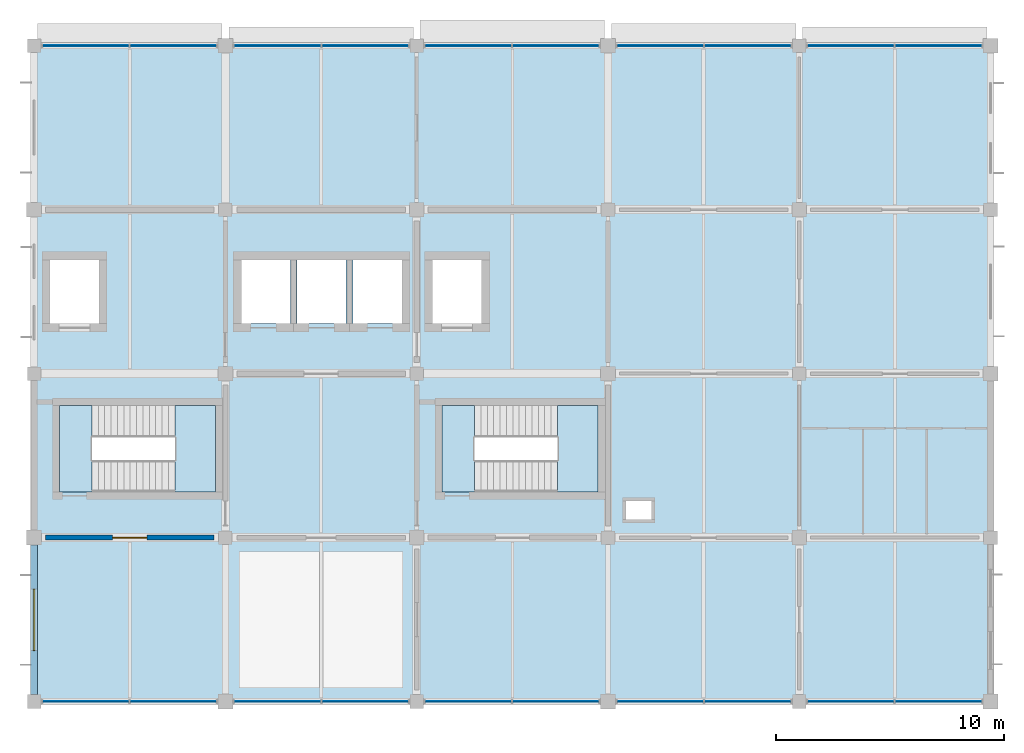
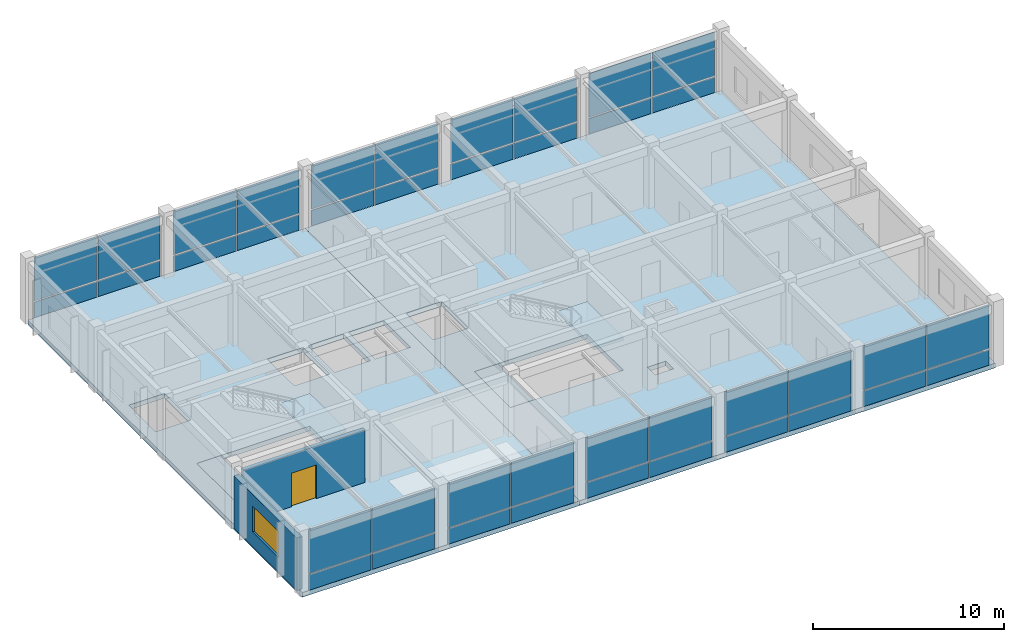
# One storey, part 7 of 11: 40 plates, 6 slabs, 2 walls, 1 door, 1 window, 2 openings, 12 elements without a shape of their own.
"""IFC4 building model written with IfcOpenShell, lengths in metres."""

import ifcopenshell
import ifcopenshell.guid

model = None  # the IFC model being written
_history = None  # IfcOwnerHistory: only IFC2X3 demands one
_inside = {}  # id of a spatial element -> (the spatial element, [elements in it])
_under = {}  # id of a project, library or spatial element -> (it, [spatial elements below it])
_declared = {}  # id of a project -> (the project, [libraries it declares])
_typed = {}  # id of a type object -> (the type object, [elements of that type])
_made_of = {}  # id of a material, layer set ... -> (it, [elements and type objects made of it])


def new_model(schema):
    """Start an empty IFC model of exactly this schema.

    Asked for "IFC4X3", IfcOpenShell would pick the latest addendum, in which some entities
    have other attributes; the version numbers below select the first issue.
    IFC2X3 requires an IfcOwnerHistory on every rooted entity: one is made here for all.
    """
    global model, _history
    if schema == "IFC4X3":
        model = ifcopenshell.file(schema_version=(4, 3, 0, 0))
    else:
        model = ifcopenshell.file(schema=schema)
    _inside.clear()
    _under.clear()
    _declared.clear()
    _typed.clear()
    _made_of.clear()
    _history = None
    if model.schema == "IFC2X3":
        org = make("IfcOrganization", Name="unknown")
        user = make(
            "IfcPersonAndOrganization",
            ThePerson=make("IfcPerson", FamilyName="unknown"),
            TheOrganization=org,
        )
        app = make(
            "IfcApplication",
            ApplicationDeveloper=org,
            Version="unknown",
            ApplicationFullName="unknown",
            ApplicationIdentifier="unknown",
        )
        _history = make(
            "IfcOwnerHistory",
            OwningUser=user,
            OwningApplication=app,
            ChangeAction="ADDED",
            CreationDate=0,
        )
    return model


def make(cls, **values):
    """One entity of the class cls with the attributes given. An attribute that is None is left unset."""
    return model.create_entity(
        cls, **{name: value for name, value in values.items() if value is not None}
    )


def rooted(cls, **values):
    """An entity with a GlobalId (a new one), such as an element, a storey or a relation."""
    return make(cls, GlobalId=ifcopenshell.guid.new(), OwnerHistory=_history, **values)


def si_unit(unit_type, name, prefix=None):
    """IfcSIUnit, for example si_unit("LENGTHUNIT", "METRE", prefix="MILLI")."""
    return make("IfcSIUnit", UnitType=unit_type, Prefix=prefix, Name=name)


def derived_unit(unit_type, elements):
    """IfcDerivedUnit: a product of units, each with its exponent."""
    return make(
        "IfcDerivedUnit",
        Elements=[
            make("IfcDerivedUnitElement", Unit=unit, Exponent=power)
            for unit, power in elements
        ],
        UnitType=unit_type,
    )


def assignment(units):
    """IfcUnitAssignment: the units of a project."""
    return None if units is None else make("IfcUnitAssignment", Units=units)


def point(xyz):
    """IfcCartesianPoint."""
    return None if xyz is None else make("IfcCartesianPoint", Coordinates=xyz)


def direction(xyz):
    """IfcDirection."""
    return None if xyz is None else make("IfcDirection", DirectionRatios=xyz)


def frame(location, z_axis=None, x_axis=None):
    """IfcAxis2Placement3D, a coordinate frame: its origin and axes. An axis left out is left unset."""
    return make(
        "IfcAxis2Placement3D",
        Location=point(location),
        Axis=direction(z_axis),
        RefDirection=direction(x_axis),
    )


def frame_2d(location, x_axis=None):
    """IfcAxis2Placement2D, a coordinate frame in the plane: its origin and x axis."""
    return make(
        "IfcAxis2Placement2D", Location=point(location), RefDirection=direction(x_axis)
    )


def origin():
    """The frame at (0, 0, 0) with its axes left unset."""
    return frame((0.0, 0.0, 0.0))


def origin_2d():
    """The frame at (0, 0) in the plane with its x axis left unset."""
    return frame_2d((0.0, 0.0))


def place(relative_to, where):
    """IfcLocalPlacement: puts the frame where relative to a parent placement (None: the world)."""
    return make(
        "IfcLocalPlacement", PlacementRelTo=relative_to, RelativePlacement=where
    )


def context(
    kind, dimensions, precision=None, world=None, true_north=None, identifier=None
):
    """IfcGeometricRepresentationContext, for example the 3D "Model" context."""
    return make(
        "IfcGeometricRepresentationContext",
        ContextIdentifier=identifier,
        ContextType=kind,
        CoordinateSpaceDimension=dimensions,
        Precision=precision,
        WorldCoordinateSystem=world,
        TrueNorth=true_north,
    )


def subcontext(parent, identifier, kind, view, scale=None):
    """IfcGeometricRepresentationSubContext, for example "Body" below "Model"."""
    return make(
        "IfcGeometricRepresentationSubContext",
        ContextIdentifier=identifier,
        ContextType=kind,
        ParentContext=parent,
        TargetScale=scale,
        TargetView=view,
    )


def project(units=None, contexts=None):
    """IfcProject with its units and contexts."""
    return rooted(
        "IfcProject",
        Name="project",
        RepresentationContexts=contexts,
        UnitsInContext=assignment(units),
    )


def spatial(cls, under=None, at=None, **own):
    """A site, building, storey or space (cls), placed at a placement, below another one or the project."""
    s = rooted(cls, ObjectPlacement=at, **own)
    if under is not None:
        _under.setdefault(under.id(), (under, []))[1].append(s)
    return s


def polyline(points):
    """IfcPolyline through the points."""
    return make("IfcPolyline", Points=[point(p) for p in points])


def profile(cls, at=None, kind="AREA", **sizes):
    """A parametric profile (cls). Its sizes go by their IFC names, for example OverallWidth=200.0."""
    return make(cls, ProfileType=kind, Position=at, **sizes)


def rectangle(**sizes):
    """IfcRectangleProfileDef."""
    return profile("IfcRectangleProfileDef", **sizes)


def outline(outer, holes=None, kind="AREA"):
    """IfcArbitraryClosedProfileDef: a profile drawn as a closed curve; with holes, ...WithVoids."""
    if holes is None:
        return make("IfcArbitraryClosedProfileDef", ProfileType=kind, OuterCurve=outer)
    return make(
        "IfcArbitraryProfileDefWithVoids",
        ProfileType=kind,
        OuterCurve=outer,
        InnerCurves=holes,
    )


def extrude(swept, where, along, depth):
    """IfcExtrudedAreaSolid: the profile swept, set in the frame where, extruded along a direction by depth."""
    return make(
        "IfcExtrudedAreaSolid",
        SweptArea=swept,
        Position=where,
        ExtrudedDirection=direction(along),
        Depth=depth,
    )


def shape(context_of_items, identifier, shape_type, items):
    """IfcShapeRepresentation: the items that make up one representation, for example the "Body"."""
    return make(
        "IfcShapeRepresentation",
        ContextOfItems=context_of_items,
        RepresentationIdentifier=identifier,
        RepresentationType=shape_type,
        Items=items,
    )


def material(Name=None, Category=None):
    """IfcMaterial."""
    return make("IfcMaterial", Name=Name, Category=Category)


def layer(
    of_material, thickness, ventilated=None, Name=None, Category=None, Priority=None
):
    """IfcMaterialLayer: one layer of a wall or slab, of a material (None: an air gap)."""
    return make(
        "IfcMaterialLayer",
        Material=of_material,
        LayerThickness=thickness,
        IsVentilated=ventilated,
        Name=Name,
        Category=Category,
        Priority=Priority,
    )


def layer_set(layers, Name=None):
    """IfcMaterialLayerSet."""
    return make("IfcMaterialLayerSet", MaterialLayers=layers, LayerSetName=Name)


def made_of(thing, what):
    """Note that an element or type object is made of a material, layer set ...; save() writes the relation."""
    if what is not None:
        _made_of.setdefault(what.id(), (what, []))[1].append(thing)
    return thing


def type_object(cls, material=None, **own):
    """A type object (cls), such as IfcWallType, which elements share."""
    return made_of(rooted(cls, **own), material)


def element(
    cls,
    number,
    at=None,
    inside=None,
    cuts=None,
    type_object=None,
    material=None,
    context=None,
    identifier="Body",
    shape_type=None,
    held_by="IfcProductDefinitionShape",
    body=None,
    shapes=None,
    **own,
):
    """One element of the class cls, such as IfcWall. Its Tag is "e" and its number.

    at: its placement. inside: the storey or other place that contains it. cuts: it is an
    opening in that element (IfcRelVoidsElement). A single representation is given by context,
    identifier, shape_type and body (its items); several are given by shapes. held_by: the class
    of the entity that holds the representations. save() writes the other relations.
    """
    e = rooted(cls, Tag="e%d" % number, ObjectPlacement=at, **own)
    if body is not None:
        shapes = [shape(context, identifier, shape_type, body)]
    if shapes is not None:
        e.Representation = make(held_by, Representations=shapes)
    if inside is not None:
        _inside.setdefault(inside.id(), (inside, []))[1].append(e)
    if cuts is not None:
        rooted(
            "IfcRelVoidsElement", RelatingBuildingElement=cuts, RelatedOpeningElement=e
        )
    if type_object is not None:
        _typed.setdefault(type_object.id(), (type_object, []))[1].append(e)
    return made_of(e, material)


def fill(opening, filler):
    """IfcRelFillsElement: the door or window that sits in an opening."""
    return rooted(
        "IfcRelFillsElement",
        RelatingOpeningElement=opening,
        RelatedBuildingElement=filler,
    )


def aggregate(whole, parts):
    """IfcRelAggregates: a whole, such as a stair, and the parts it consists of."""
    return rooted("IfcRelAggregates", RelatingObject=whole, RelatedObjects=parts)


def save(model, path):
    """Write the relations noted so far, then the file.

    IfcRelAggregates (storeys below a building ...), IfcRelContainedInSpatialStructure (elements
    in a storey), IfcRelDefinesByType, IfcRelAssociatesMaterial and IfcRelDeclares: one each for
    every whole, place, type object, material and project.
    """
    for whole, parts in _under.values():
        aggregate(whole, parts)
    for where, things in _inside.values():
        rooted(
            "IfcRelContainedInSpatialStructure",
            RelatedElements=things,
            RelatingStructure=where,
        )
    for kind, things in _typed.values():
        rooted("IfcRelDefinesByType", RelatedObjects=things, RelatingType=kind)
    for what, things in _made_of.values():
        rooted("IfcRelAssociatesMaterial", RelatedObjects=things, RelatingMaterial=what)
    for by, libraries in _declared.values():
        rooted("IfcRelDeclares", RelatingContext=by, RelatedDefinitions=libraries)
    model.write(path)


model = new_model("IFC4")

# Units and contexts
model_context = context("Model", 3, precision=1e-05, world=origin(), true_north=direction((0.0, 1.0)))
body_context = subcontext(model_context, "Body", "Model", "MODEL_VIEW")
ifc_project = project(units=[si_unit("LENGTHUNIT", "METRE"), si_unit("AREAUNIT", "SQUARE_METRE"), si_unit("VOLUMEUNIT", "CUBIC_METRE"), si_unit("PLANEANGLEUNIT", "RADIAN"), si_unit("MASSUNIT", "GRAM", prefix="KILO"), derived_unit("THERMALTRANSMITTANCEUNIT", [(si_unit("MASSUNIT", "GRAM", prefix="KILO"), 1), (si_unit("TIMEUNIT", "SECOND"), -3), (si_unit("THERMODYNAMICTEMPERATUREUNIT", "KELVIN"), -1)])], contexts=[model_context])

# Site, building, storey
site_placement = place(None, origin())
site = spatial("IfcSite", under=ifc_project, at=site_placement, CompositionType="ELEMENT")
building_placement = place(site_placement, origin())
building = spatial("IfcBuilding", under=site, at=building_placement, Name="Veldstrom Oceanarium and Marine Research Institute", CompositionType="ELEMENT")
storey_placement = place(building_placement, frame((0.0, 0.0, 48.0)))
storey = spatial("IfcBuildingStorey", under=building, at=storey_placement, Name="L10", CompositionType="ELEMENT", Elevation=48.0)

# Curtain wall, plates
ifc_material_1 = material(Name="Anodised Aluminium Framing", Category="aluminium")
curtain_wall_type = type_object("IfcCurtainWallType", Name="ARC-CW-CW04", PredefinedType="USERDEFINED", material=ifc_material_1)
curtain_wall_1_placement = place(storey_placement, origin())
curtain_wall_1 = element("IfcCurtainWall", 1, at=curtain_wall_1_placement, inside=storey, type_object=curtain_wall_type, Name="Curtain Wall CW04 CW-L10-141", ObjectType="Curtain wall", PredefinedType="USERDEFINED")
ifc_material_2 = material(Name="Double Glazed Low-E IGU", Category="glass")
ifc_layer_1 = layer(ifc_material_2, 0.035888671875)
ifc_layer_set_1 = layer_set([ifc_layer_1], Name="ARC-PLT-CP03")
plate_type_1 = type_object("IfcPlateType", Name="ARC-PLT-CP03", PredefinedType="CURTAIN_PANEL", material=ifc_layer_set_1)
plate_1_placement = place(storey_placement, frame((77.86376953125, 43.199951171875, 1.090087890625), z_axis=(0.0, 0.0, 1.0), x_axis=(1.0, 0.0, 0.0)))
plate_1 = element("IfcPlate", 2, at=plate_1_placement, type_object=plate_type_1, Name="Curtain Vision Panel CW-L10-141-PNL-V1", PredefinedType="CURTAIN_PANEL", context=body_context, shape_type="SweptSolid", body=[
    extrude(rectangle(XDim=3.767578125, YDim=0.035888671875, at=origin_2d()), origin(), (0.0, 0.0, 1.0), 2.81005859375),
])
plate_2_placement = place(storey_placement, frame((81.711181640625, 43.199951171875, 1.090087890625), z_axis=(0.0, 0.0, 1.0), x_axis=(1.0, 0.0, 0.0)))
plate_2 = element("IfcPlate", 3, at=plate_2_placement, type_object=plate_type_1, Name="Curtain Vision Panel CW-L10-141-PNL-V2", PredefinedType="CURTAIN_PANEL", context=body_context, shape_type="SweptSolid", body=[
    extrude(rectangle(XDim=3.767578125, YDim=0.035888671875, at=origin_2d()), origin(), (0.0, 0.0, 1.0), 2.81005859375),
])

curtain_wall_2_placement = place(storey_placement, origin())
curtain_wall_2 = element("IfcCurtainWall", 4, at=curtain_wall_2_placement, inside=storey, type_object=curtain_wall_type, Name="Curtain Wall CW04 CW-L10-142", ObjectType="Curtain wall", PredefinedType="USERDEFINED")
plate_3_placement = place(storey_placement, frame((77.86376953125, 72.0, 1.090087890625), z_axis=(0.0, 0.0, 1.0), x_axis=(1.0, 0.0, 0.0)))
plate_3 = element("IfcPlate", 5, at=plate_3_placement, type_object=plate_type_1, Name="Curtain Vision Panel CW-L10-142-PNL-V1", PredefinedType="CURTAIN_PANEL", context=body_context, shape_type="SweptSolid", body=[
    extrude(rectangle(XDim=3.767578125, YDim=0.035888671875, at=origin_2d()), origin(), (0.0, 0.0, 1.0), 2.81005859375),
])
plate_4_placement = place(storey_placement, frame((81.711181640625, 72.0, 1.090087890625), z_axis=(0.0, 0.0, 1.0), x_axis=(1.0, 0.0, 0.0)))
plate_4 = element("IfcPlate", 6, at=plate_4_placement, type_object=plate_type_1, Name="Curtain Vision Panel CW-L10-142-PNL-V2", PredefinedType="CURTAIN_PANEL", context=body_context, shape_type="SweptSolid", body=[
    extrude(rectangle(XDim=3.767578125, YDim=0.035888671875, at=origin_2d()), origin(), (0.0, 0.0, 1.0), 2.81005859375),
])

curtain_wall_3_placement = place(storey_placement, origin())
curtain_wall_3 = element("IfcCurtainWall", 7, at=curtain_wall_3_placement, inside=storey, type_object=curtain_wall_type, Name="Curtain Wall CW04 CW-L10-143", ObjectType="Curtain wall", PredefinedType="USERDEFINED")
plate_5_placement = place(storey_placement, frame((86.288818359375, 43.199951171875, 1.090087890625), z_axis=(0.0, 0.0, 1.0), x_axis=(1.0, 0.0, 0.0)))
plate_5 = element("IfcPlate", 8, at=plate_5_placement, type_object=plate_type_1, Name="Curtain Vision Panel CW-L10-143-PNL-V1", PredefinedType="CURTAIN_PANEL", context=body_context, shape_type="SweptSolid", body=[
    extrude(rectangle(XDim=3.767578125, YDim=0.035888671875, at=origin_2d()), origin(), (0.0, 0.0, 1.0), 2.81005859375),
])
plate_6_placement = place(storey_placement, frame((90.13623046875, 43.199951171875, 1.090087890625), z_axis=(0.0, 0.0, 1.0), x_axis=(1.0, 0.0, 0.0)))
plate_6 = element("IfcPlate", 9, at=plate_6_placement, type_object=plate_type_1, Name="Curtain Vision Panel CW-L10-143-PNL-V2", PredefinedType="CURTAIN_PANEL", context=body_context, shape_type="SweptSolid", body=[
    extrude(rectangle(XDim=3.767578125, YDim=0.035888671875, at=origin_2d()), origin(), (0.0, 0.0, 1.0), 2.81005859375),
])

curtain_wall_4_placement = place(storey_placement, origin())
curtain_wall_4 = element("IfcCurtainWall", 10, at=curtain_wall_4_placement, inside=storey, type_object=curtain_wall_type, Name="Curtain Wall CW04 CW-L10-144", ObjectType="Curtain wall", PredefinedType="USERDEFINED")
plate_7_placement = place(storey_placement, frame((86.288818359375, 72.0, 1.090087890625), z_axis=(0.0, 0.0, 1.0), x_axis=(1.0, 0.0, 0.0)))
plate_7 = element("IfcPlate", 11, at=plate_7_placement, type_object=plate_type_1, Name="Curtain Vision Panel CW-L10-144-PNL-V1", PredefinedType="CURTAIN_PANEL", context=body_context, shape_type="SweptSolid", body=[
    extrude(rectangle(XDim=3.767578125, YDim=0.035888671875, at=origin_2d()), origin(), (0.0, 0.0, 1.0), 2.81005859375),
])
plate_8_placement = place(storey_placement, frame((90.13623046875, 72.0, 1.090087890625), z_axis=(0.0, 0.0, 1.0), x_axis=(1.0, 0.0, 0.0)))
plate_8 = element("IfcPlate", 12, at=plate_8_placement, type_object=plate_type_1, Name="Curtain Vision Panel CW-L10-144-PNL-V2", PredefinedType="CURTAIN_PANEL", context=body_context, shape_type="SweptSolid", body=[
    extrude(rectangle(XDim=3.767578125, YDim=0.035888671875, at=origin_2d()), origin(), (0.0, 0.0, 1.0), 2.81005859375),
])

curtain_wall_5_placement = place(storey_placement, origin())
curtain_wall_5 = element("IfcCurtainWall", 13, at=curtain_wall_5_placement, inside=storey, type_object=curtain_wall_type, Name="Curtain Wall CW04 CW-L10-145", ObjectType="Curtain wall", PredefinedType="USERDEFINED")
plate_9_placement = place(storey_placement, frame((94.663818359375, 43.199951171875, 1.090087890625), z_axis=(0.0, 0.0, 1.0), x_axis=(1.0, 0.0, 0.0)))
plate_9 = element("IfcPlate", 14, at=plate_9_placement, type_object=plate_type_1, Name="Curtain Vision Panel CW-L10-145-PNL-V1", PredefinedType="CURTAIN_PANEL", context=body_context, shape_type="SweptSolid", body=[
    extrude(rectangle(XDim=3.767578125, YDim=0.035888671875, at=origin_2d()), origin(), (0.0, 0.0, 1.0), 2.81005859375),
])
plate_10_placement = place(storey_placement, frame((98.51123046875, 43.199951171875, 1.090087890625), z_axis=(0.0, 0.0, 1.0), x_axis=(1.0, 0.0, 0.0)))
plate_10 = element("IfcPlate", 15, at=plate_10_placement, type_object=plate_type_1, Name="Curtain Vision Panel CW-L10-145-PNL-V2", PredefinedType="CURTAIN_PANEL", context=body_context, shape_type="SweptSolid", body=[
    extrude(rectangle(XDim=3.767578125, YDim=0.035888671875, at=origin_2d()), origin(), (0.0, 0.0, 1.0), 2.81005859375),
])

curtain_wall_6_placement = place(storey_placement, origin())
curtain_wall_6 = element("IfcCurtainWall", 16, at=curtain_wall_6_placement, inside=storey, type_object=curtain_wall_type, Name="Curtain Wall CW04 CW-L10-146", ObjectType="Curtain wall", PredefinedType="USERDEFINED")
plate_11_placement = place(storey_placement, frame((94.663818359375, 72.0, 1.090087890625), z_axis=(0.0, 0.0, 1.0), x_axis=(1.0, 0.0, 0.0)))
plate_11 = element("IfcPlate", 17, at=plate_11_placement, type_object=plate_type_1, Name="Curtain Vision Panel CW-L10-146-PNL-V1", PredefinedType="CURTAIN_PANEL", context=body_context, shape_type="SweptSolid", body=[
    extrude(rectangle(XDim=3.767578125, YDim=0.035888671875, at=origin_2d()), origin(), (0.0, 0.0, 1.0), 2.81005859375),
])
plate_12_placement = place(storey_placement, frame((98.51123046875, 72.0, 1.090087890625), z_axis=(0.0, 0.0, 1.0), x_axis=(1.0, 0.0, 0.0)))
plate_12 = element("IfcPlate", 18, at=plate_12_placement, type_object=plate_type_1, Name="Curtain Vision Panel CW-L10-146-PNL-V2", PredefinedType="CURTAIN_PANEL", context=body_context, shape_type="SweptSolid", body=[
    extrude(rectangle(XDim=3.767578125, YDim=0.035888671875, at=origin_2d()), origin(), (0.0, 0.0, 1.0), 2.81005859375),
])

curtain_wall_7_placement = place(storey_placement, origin())
curtain_wall_7 = element("IfcCurtainWall", 19, at=curtain_wall_7_placement, inside=storey, type_object=curtain_wall_type, Name="Curtain Wall CW04 CW-L10-147", ObjectType="Curtain wall", PredefinedType="USERDEFINED")
plate_13_placement = place(storey_placement, frame((103.0888671875, 43.199951171875, 1.090087890625), z_axis=(0.0, 0.0, 1.0), x_axis=(1.0, 0.0, 0.0)))
plate_13 = element("IfcPlate", 20, at=plate_13_placement, type_object=plate_type_1, Name="Curtain Vision Panel CW-L10-147-PNL-V1", PredefinedType="CURTAIN_PANEL", context=body_context, shape_type="SweptSolid", body=[
    extrude(rectangle(XDim=3.767578125, YDim=0.035888671875, at=origin_2d()), origin(), (0.0, 0.0, 1.0), 2.81005859375),
])
plate_14_placement = place(storey_placement, frame((106.936279296875, 43.199951171875, 1.090087890625), z_axis=(0.0, 0.0, 1.0), x_axis=(1.0, 0.0, 0.0)))
plate_14 = element("IfcPlate", 21, at=plate_14_placement, type_object=plate_type_1, Name="Curtain Vision Panel CW-L10-147-PNL-V2", PredefinedType="CURTAIN_PANEL", context=body_context, shape_type="SweptSolid", body=[
    extrude(rectangle(XDim=3.767578125, YDim=0.035888671875, at=origin_2d()), origin(), (0.0, 0.0, 1.0), 2.81005859375),
])

curtain_wall_8_placement = place(storey_placement, origin())
curtain_wall_8 = element("IfcCurtainWall", 22, at=curtain_wall_8_placement, inside=storey, type_object=curtain_wall_type, Name="Curtain Wall CW04 CW-L10-148", ObjectType="Curtain wall", PredefinedType="USERDEFINED")
plate_15_placement = place(storey_placement, frame((103.0888671875, 72.0, 1.090087890625), z_axis=(0.0, 0.0, 1.0), x_axis=(1.0, 0.0, 0.0)))
plate_15 = element("IfcPlate", 23, at=plate_15_placement, type_object=plate_type_1, Name="Curtain Vision Panel CW-L10-148-PNL-V1", PredefinedType="CURTAIN_PANEL", context=body_context, shape_type="SweptSolid", body=[
    extrude(rectangle(XDim=3.767578125, YDim=0.035888671875, at=origin_2d()), origin(), (0.0, 0.0, 1.0), 2.81005859375),
])
plate_16_placement = place(storey_placement, frame((106.936279296875, 72.0, 1.090087890625), z_axis=(0.0, 0.0, 1.0), x_axis=(1.0, 0.0, 0.0)))
plate_16 = element("IfcPlate", 24, at=plate_16_placement, type_object=plate_type_1, Name="Curtain Vision Panel CW-L10-148-PNL-V2", PredefinedType="CURTAIN_PANEL", context=body_context, shape_type="SweptSolid", body=[
    extrude(rectangle(XDim=3.767578125, YDim=0.035888671875, at=origin_2d()), origin(), (0.0, 0.0, 1.0), 2.81005859375),
])

curtain_wall_9_placement = place(storey_placement, origin())
curtain_wall_9 = element("IfcCurtainWall", 25, at=curtain_wall_9_placement, inside=storey, type_object=curtain_wall_type, Name="Curtain Wall CW04 CW-L10-149", ObjectType="Curtain wall", PredefinedType="USERDEFINED")
plate_17_placement = place(storey_placement, frame((111.4638671875, 43.199951171875, 1.090087890625), z_axis=(0.0, 0.0, 1.0), x_axis=(1.0, 0.0, 0.0)))
plate_17 = element("IfcPlate", 26, at=plate_17_placement, type_object=plate_type_1, Name="Curtain Vision Panel CW-L10-149-PNL-V1", PredefinedType="CURTAIN_PANEL", context=body_context, shape_type="SweptSolid", body=[
    extrude(rectangle(XDim=3.767578125, YDim=0.035888671875, at=origin_2d()), origin(), (0.0, 0.0, 1.0), 2.81005859375),
])
plate_18_placement = place(storey_placement, frame((115.311279296875, 43.199951171875, 1.090087890625), z_axis=(0.0, 0.0, 1.0), x_axis=(1.0, 0.0, 0.0)))
plate_18 = element("IfcPlate", 27, at=plate_18_placement, type_object=plate_type_1, Name="Curtain Vision Panel CW-L10-149-PNL-V2", PredefinedType="CURTAIN_PANEL", context=body_context, shape_type="SweptSolid", body=[
    extrude(rectangle(XDim=3.767578125, YDim=0.035888671875, at=origin_2d()), origin(), (0.0, 0.0, 1.0), 2.81005859375),
])

curtain_wall_10_placement = place(storey_placement, origin())
curtain_wall_10 = element("IfcCurtainWall", 28, at=curtain_wall_10_placement, inside=storey, type_object=curtain_wall_type, Name="Curtain Wall CW04 CW-L10-150", ObjectType="Curtain wall", PredefinedType="USERDEFINED")
plate_19_placement = place(storey_placement, frame((111.4638671875, 72.0, 1.090087890625), z_axis=(0.0, 0.0, 1.0), x_axis=(1.0, 0.0, 0.0)))
plate_19 = element("IfcPlate", 29, at=plate_19_placement, type_object=plate_type_1, Name="Curtain Vision Panel CW-L10-150-PNL-V1", PredefinedType="CURTAIN_PANEL", context=body_context, shape_type="SweptSolid", body=[
    extrude(rectangle(XDim=3.767578125, YDim=0.035888671875, at=origin_2d()), origin(), (0.0, 0.0, 1.0), 2.81005859375),
])
plate_20_placement = place(storey_placement, frame((115.311279296875, 72.0, 1.090087890625), z_axis=(0.0, 0.0, 1.0), x_axis=(1.0, 0.0, 0.0)))
plate_20 = element("IfcPlate", 30, at=plate_20_placement, type_object=plate_type_1, Name="Curtain Vision Panel CW-L10-150-PNL-V2", PredefinedType="CURTAIN_PANEL", context=body_context, shape_type="SweptSolid", body=[
    extrude(rectangle(XDim=3.767578125, YDim=0.035888671875, at=origin_2d()), origin(), (0.0, 0.0, 1.0), 2.81005859375),
])

# Plate
ifc_material_3 = material(Name="Insulated Aluminium Spandrel", Category="aluminium")
ifc_layer_2 = layer(ifc_material_3, 0.044921875)
ifc_layer_set_2 = layer_set([ifc_layer_2], Name="ARC-PLT-CP04")
plate_type_2 = type_object("IfcPlateType", Name="ARC-PLT-CP04", PredefinedType="CURTAIN_PANEL", material=ifc_layer_set_2)
plate_21_placement = place(storey_placement, frame((77.86376953125, 43.199951171875, 0.02001953125), z_axis=(0.0, 0.0, 1.0), x_axis=(1.0, 0.0, 0.0)))
plate_21 = element("IfcPlate", 31, at=plate_21_placement, type_object=plate_type_2, Name="Curtain Spandrel Panel CW-L10-141-PNL-S1", PredefinedType="CURTAIN_PANEL", context=body_context, shape_type="SweptSolid", body=[
    extrude(rectangle(XDim=3.767578125, YDim=0.044921875, at=origin_2d()), origin(), (0.0, 0.0, 1.0), 0.989990234375),
])

plate_22_placement = place(storey_placement, frame((81.711181640625, 43.199951171875, 0.02001953125), z_axis=(0.0, 0.0, 1.0), x_axis=(1.0, 0.0, 0.0)))
plate_22 = element("IfcPlate", 32, at=plate_22_placement, type_object=plate_type_2, Name="Curtain Spandrel Panel CW-L10-141-PNL-S2", PredefinedType="CURTAIN_PANEL", context=body_context, shape_type="SweptSolid", body=[
    extrude(rectangle(XDim=3.767578125, YDim=0.044921875, at=origin_2d()), origin(), (0.0, 0.0, 1.0), 0.989990234375),
])

aggregate(curtain_wall_1, [plate_21, plate_1, plate_22, plate_2])

plate_23_placement = place(storey_placement, frame((77.86376953125, 72.0, 0.02001953125), z_axis=(0.0, 0.0, 1.0), x_axis=(1.0, 0.0, 0.0)))
plate_23 = element("IfcPlate", 33, at=plate_23_placement, type_object=plate_type_2, Name="Curtain Spandrel Panel CW-L10-142-PNL-S1", PredefinedType="CURTAIN_PANEL", context=body_context, shape_type="SweptSolid", body=[
    extrude(rectangle(XDim=3.767578125, YDim=0.044921875, at=origin_2d()), origin(), (0.0, 0.0, 1.0), 0.989990234375),
])

plate_24_placement = place(storey_placement, frame((81.711181640625, 72.0, 0.02001953125), z_axis=(0.0, 0.0, 1.0), x_axis=(1.0, 0.0, 0.0)))
plate_24 = element("IfcPlate", 34, at=plate_24_placement, type_object=plate_type_2, Name="Curtain Spandrel Panel CW-L10-142-PNL-S2", PredefinedType="CURTAIN_PANEL", context=body_context, shape_type="SweptSolid", body=[
    extrude(rectangle(XDim=3.767578125, YDim=0.044921875, at=origin_2d()), origin(), (0.0, 0.0, 1.0), 0.989990234375),
])

aggregate(curtain_wall_2, [plate_23, plate_3, plate_24, plate_4])

plate_25_placement = place(storey_placement, frame((86.288818359375, 43.199951171875, 0.02001953125), z_axis=(0.0, 0.0, 1.0), x_axis=(1.0, 0.0, 0.0)))
plate_25 = element("IfcPlate", 35, at=plate_25_placement, type_object=plate_type_2, Name="Curtain Spandrel Panel CW-L10-143-PNL-S1", PredefinedType="CURTAIN_PANEL", context=body_context, shape_type="SweptSolid", body=[
    extrude(rectangle(XDim=3.767578125, YDim=0.044921875, at=origin_2d()), origin(), (0.0, 0.0, 1.0), 0.989990234375),
])

plate_26_placement = place(storey_placement, frame((90.13623046875, 43.199951171875, 0.02001953125), z_axis=(0.0, 0.0, 1.0), x_axis=(1.0, 0.0, 0.0)))
plate_26 = element("IfcPlate", 36, at=plate_26_placement, type_object=plate_type_2, Name="Curtain Spandrel Panel CW-L10-143-PNL-S2", PredefinedType="CURTAIN_PANEL", context=body_context, shape_type="SweptSolid", body=[
    extrude(rectangle(XDim=3.767578125, YDim=0.044921875, at=origin_2d()), origin(), (0.0, 0.0, 1.0), 0.989990234375),
])

aggregate(curtain_wall_3, [plate_25, plate_5, plate_26, plate_6])

plate_27_placement = place(storey_placement, frame((86.288818359375, 72.0, 0.02001953125), z_axis=(0.0, 0.0, 1.0), x_axis=(1.0, 0.0, 0.0)))
plate_27 = element("IfcPlate", 37, at=plate_27_placement, type_object=plate_type_2, Name="Curtain Spandrel Panel CW-L10-144-PNL-S1", PredefinedType="CURTAIN_PANEL", context=body_context, shape_type="SweptSolid", body=[
    extrude(rectangle(XDim=3.767578125, YDim=0.044921875, at=origin_2d()), origin(), (0.0, 0.0, 1.0), 0.989990234375),
])

plate_28_placement = place(storey_placement, frame((90.13623046875, 72.0, 0.02001953125), z_axis=(0.0, 0.0, 1.0), x_axis=(1.0, 0.0, 0.0)))
plate_28 = element("IfcPlate", 38, at=plate_28_placement, type_object=plate_type_2, Name="Curtain Spandrel Panel CW-L10-144-PNL-S2", PredefinedType="CURTAIN_PANEL", context=body_context, shape_type="SweptSolid", body=[
    extrude(rectangle(XDim=3.767578125, YDim=0.044921875, at=origin_2d()), origin(), (0.0, 0.0, 1.0), 0.989990234375),
])

aggregate(curtain_wall_4, [plate_27, plate_7, plate_28, plate_8])

plate_29_placement = place(storey_placement, frame((94.663818359375, 43.199951171875, 0.02001953125), z_axis=(0.0, 0.0, 1.0), x_axis=(1.0, 0.0, 0.0)))
plate_29 = element("IfcPlate", 39, at=plate_29_placement, type_object=plate_type_2, Name="Curtain Spandrel Panel CW-L10-145-PNL-S1", PredefinedType="CURTAIN_PANEL", context=body_context, shape_type="SweptSolid", body=[
    extrude(rectangle(XDim=3.767578125, YDim=0.044921875, at=origin_2d()), origin(), (0.0, 0.0, 1.0), 0.989990234375),
])

plate_30_placement = place(storey_placement, frame((98.51123046875, 43.199951171875, 0.02001953125), z_axis=(0.0, 0.0, 1.0), x_axis=(1.0, 0.0, 0.0)))
plate_30 = element("IfcPlate", 40, at=plate_30_placement, type_object=plate_type_2, Name="Curtain Spandrel Panel CW-L10-145-PNL-S2", PredefinedType="CURTAIN_PANEL", context=body_context, shape_type="SweptSolid", body=[
    extrude(rectangle(XDim=3.767578125, YDim=0.044921875, at=origin_2d()), origin(), (0.0, 0.0, 1.0), 0.989990234375),
])

aggregate(curtain_wall_5, [plate_29, plate_9, plate_30, plate_10])

plate_31_placement = place(storey_placement, frame((94.663818359375, 72.0, 0.02001953125), z_axis=(0.0, 0.0, 1.0), x_axis=(1.0, 0.0, 0.0)))
plate_31 = element("IfcPlate", 41, at=plate_31_placement, type_object=plate_type_2, Name="Curtain Spandrel Panel CW-L10-146-PNL-S1", PredefinedType="CURTAIN_PANEL", context=body_context, shape_type="SweptSolid", body=[
    extrude(rectangle(XDim=3.767578125, YDim=0.044921875, at=origin_2d()), origin(), (0.0, 0.0, 1.0), 0.989990234375),
])

plate_32_placement = place(storey_placement, frame((98.51123046875, 72.0, 0.02001953125), z_axis=(0.0, 0.0, 1.0), x_axis=(1.0, 0.0, 0.0)))
plate_32 = element("IfcPlate", 42, at=plate_32_placement, type_object=plate_type_2, Name="Curtain Spandrel Panel CW-L10-146-PNL-S2", PredefinedType="CURTAIN_PANEL", context=body_context, shape_type="SweptSolid", body=[
    extrude(rectangle(XDim=3.767578125, YDim=0.044921875, at=origin_2d()), origin(), (0.0, 0.0, 1.0), 0.989990234375),
])

aggregate(curtain_wall_6, [plate_31, plate_11, plate_32, plate_12])

plate_33_placement = place(storey_placement, frame((103.0888671875, 43.199951171875, 0.02001953125), z_axis=(0.0, 0.0, 1.0), x_axis=(1.0, 0.0, 0.0)))
plate_33 = element("IfcPlate", 43, at=plate_33_placement, type_object=plate_type_2, Name="Curtain Spandrel Panel CW-L10-147-PNL-S1", PredefinedType="CURTAIN_PANEL", context=body_context, shape_type="SweptSolid", body=[
    extrude(rectangle(XDim=3.767578125, YDim=0.044921875, at=origin_2d()), origin(), (0.0, 0.0, 1.0), 0.989990234375),
])

plate_34_placement = place(storey_placement, frame((106.936279296875, 43.199951171875, 0.02001953125), z_axis=(0.0, 0.0, 1.0), x_axis=(1.0, 0.0, 0.0)))
plate_34 = element("IfcPlate", 44, at=plate_34_placement, type_object=plate_type_2, Name="Curtain Spandrel Panel CW-L10-147-PNL-S2", PredefinedType="CURTAIN_PANEL", context=body_context, shape_type="SweptSolid", body=[
    extrude(rectangle(XDim=3.767578125, YDim=0.044921875, at=origin_2d()), origin(), (0.0, 0.0, 1.0), 0.989990234375),
])

aggregate(curtain_wall_7, [plate_33, plate_13, plate_34, plate_14])

plate_35_placement = place(storey_placement, frame((103.0888671875, 72.0, 0.02001953125), z_axis=(0.0, 0.0, 1.0), x_axis=(1.0, 0.0, 0.0)))
plate_35 = element("IfcPlate", 45, at=plate_35_placement, type_object=plate_type_2, Name="Curtain Spandrel Panel CW-L10-148-PNL-S1", PredefinedType="CURTAIN_PANEL", context=body_context, shape_type="SweptSolid", body=[
    extrude(rectangle(XDim=3.767578125, YDim=0.044921875, at=origin_2d()), origin(), (0.0, 0.0, 1.0), 0.989990234375),
])

plate_36_placement = place(storey_placement, frame((106.936279296875, 72.0, 0.02001953125), z_axis=(0.0, 0.0, 1.0), x_axis=(1.0, 0.0, 0.0)))
plate_36 = element("IfcPlate", 46, at=plate_36_placement, type_object=plate_type_2, Name="Curtain Spandrel Panel CW-L10-148-PNL-S2", PredefinedType="CURTAIN_PANEL", context=body_context, shape_type="SweptSolid", body=[
    extrude(rectangle(XDim=3.767578125, YDim=0.044921875, at=origin_2d()), origin(), (0.0, 0.0, 1.0), 0.989990234375),
])

aggregate(curtain_wall_8, [plate_35, plate_15, plate_36, plate_16])

plate_37_placement = place(storey_placement, frame((111.4638671875, 43.199951171875, 0.02001953125), z_axis=(0.0, 0.0, 1.0), x_axis=(1.0, 0.0, 0.0)))
plate_37 = element("IfcPlate", 47, at=plate_37_placement, type_object=plate_type_2, Name="Curtain Spandrel Panel CW-L10-149-PNL-S1", PredefinedType="CURTAIN_PANEL", context=body_context, shape_type="SweptSolid", body=[
    extrude(rectangle(XDim=3.767578125, YDim=0.044921875, at=origin_2d()), origin(), (0.0, 0.0, 1.0), 0.989990234375),
])

plate_38_placement = place(storey_placement, frame((115.311279296875, 43.199951171875, 0.02001953125), z_axis=(0.0, 0.0, 1.0), x_axis=(1.0, 0.0, 0.0)))
plate_38 = element("IfcPlate", 48, at=plate_38_placement, type_object=plate_type_2, Name="Curtain Spandrel Panel CW-L10-149-PNL-S2", PredefinedType="CURTAIN_PANEL", context=body_context, shape_type="SweptSolid", body=[
    extrude(rectangle(XDim=3.767578125, YDim=0.044921875, at=origin_2d()), origin(), (0.0, 0.0, 1.0), 0.989990234375),
])

aggregate(curtain_wall_9, [plate_37, plate_17, plate_38, plate_18])

plate_39_placement = place(storey_placement, frame((111.4638671875, 72.0, 0.02001953125), z_axis=(0.0, 0.0, 1.0), x_axis=(1.0, 0.0, 0.0)))
plate_39 = element("IfcPlate", 49, at=plate_39_placement, type_object=plate_type_2, Name="Curtain Spandrel Panel CW-L10-150-PNL-S1", PredefinedType="CURTAIN_PANEL", context=body_context, shape_type="SweptSolid", body=[
    extrude(rectangle(XDim=3.767578125, YDim=0.044921875, at=origin_2d()), origin(), (0.0, 0.0, 1.0), 0.989990234375),
])

plate_40_placement = place(storey_placement, frame((115.311279296875, 72.0, 0.02001953125), z_axis=(0.0, 0.0, 1.0), x_axis=(1.0, 0.0, 0.0)))
plate_40 = element("IfcPlate", 50, at=plate_40_placement, type_object=plate_type_2, Name="Curtain Spandrel Panel CW-L10-150-PNL-S2", PredefinedType="CURTAIN_PANEL", context=body_context, shape_type="SweptSolid", body=[
    extrude(rectangle(XDim=3.767578125, YDim=0.044921875, at=origin_2d()), origin(), (0.0, 0.0, 1.0), 0.989990234375),
])

aggregate(curtain_wall_10, [plate_39, plate_19, plate_40, plate_20])

# Slabs
ifc_material_4 = material(Name="Concrete C40/50", Category="concrete")
ifc_layer_3 = layer(ifc_material_4, 0.300048828125)
ifc_layer_set_3 = layer_set([ifc_layer_3], Name="STR-SLB-FL0300")
slab_type_1 = type_object("IfcSlabType", Name="STR-SLB-FL0300", PredefinedType="FLOOR", material=ifc_layer_set_3)
slab_1_placement = place(storey_placement, frame((0.0, 0.0, -0.300048828125)))
element("IfcSlab", 51, at=slab_1_placement, inside=storey, type_object=slab_type_1, Name="Slab SF-300 L10 CW", PredefinedType="FLOOR", context=body_context, shape_type="SweptSolid", body=[
    extrude(outline(polyline([(92.39990234375, 50.39990234375), (92.39990234375, 43.199951171875), (84.0, 43.199951171875), (75.60009765625, 43.199951171875), (75.60009765625, 50.39990234375), (75.60009765625, 57.60009765625), (75.60009765625, 64.800048828125), (75.60009765625, 72.0), (84.0, 72.0), (92.39990234375, 72.0), (92.39990234375, 64.800048828125), (92.39990234375, 57.60009765625), (92.39990234375, 50.39990234375)]), holes=[polyline([(76.719970703125, 52.39990234375), (83.56005859375, 52.39990234375), (83.56005859375, 56.199951171875), (76.719970703125, 56.199951171875), (76.719970703125, 52.39990234375)]), polyline([(78.449951171875, 62.60009765625), (76.300048828125, 62.60009765625), (76.300048828125, 59.800048828125), (78.449951171875, 59.800048828125), (78.449951171875, 62.60009765625)]), polyline([(84.699951171875, 59.800048828125), (86.85009765625, 59.800048828125), (86.85009765625, 62.60009765625), (84.699951171875, 62.60009765625), (84.699951171875, 59.800048828125)]), polyline([(87.14990234375, 62.60009765625), (87.14990234375, 59.800048828125), (89.300048828125, 59.800048828125), (89.300048828125, 62.60009765625), (87.14990234375, 62.60009765625)]), polyline([(91.75, 62.60009765625), (89.60009765625, 62.60009765625), (89.60009765625, 59.800048828125), (91.75, 59.800048828125), (91.75, 62.60009765625)])]), origin(), (0.0, 0.0, 1.0), 0.300048828125),
])
slab_2_placement = place(storey_placement, frame((0.0, 0.0, -0.300048828125)))
element("IfcSlab", 52, at=slab_2_placement, inside=storey, type_object=slab_type_1, Name="Slab SF-300 L10 CE", PredefinedType="FLOOR", context=body_context, shape_type="SweptSolid", body=[
    extrude(outline(polyline([(117.60009765625, 57.60009765625), (117.60009765625, 50.39990234375), (117.60009765625, 43.199951171875), (109.199951171875, 43.199951171875), (100.800048828125, 43.199951171875), (92.39990234375, 43.199951171875), (92.39990234375, 50.39990234375), (92.39990234375, 57.60009765625), (92.39990234375, 64.800048828125), (92.39990234375, 72.0), (100.800048828125, 72.0), (109.199951171875, 72.0), (117.60009765625, 72.0), (117.60009765625, 64.800048828125), (117.60009765625, 57.60009765625)]), holes=[polyline([(93.52001953125, 52.39990234375), (100.360107421875, 52.39990234375), (100.360107421875, 56.199951171875), (93.52001953125, 56.199951171875), (93.52001953125, 52.39990234375)]), polyline([(95.25, 62.60009765625), (93.10009765625, 62.60009765625), (93.10009765625, 59.800048828125), (95.25, 59.800048828125), (95.25, 62.60009765625)]), polyline([(102.699951171875, 52.0), (101.60009765625, 52.0), (101.60009765625, 51.199951171875), (102.699951171875, 51.199951171875), (102.699951171875, 52.0)])]), origin(), (0.0, 0.0, 1.0), 0.300048828125),
])

# Stair, slab
ifc_material_5 = material(Name="Concrete C40/50", Category="concrete")
stair_type = type_object("IfcStairType", Name="ARC-STR-ST-420", PredefinedType="TWO_STRAIGHT_RUN_STAIR", material=ifc_material_5)
stair_1_placement = place(storey_placement, origin())
stair_1 = element("IfcStair", 53, at=stair_1_placement, inside=storey, type_object=stair_type, Name="Dog-Leg Escape Stair ST1-L10", PredefinedType="TWO_STRAIGHT_RUN_STAIR")
ifc_material_6 = material(Name="Concrete C40/50", Category="concrete")
ifc_layer_4 = layer(ifc_material_6, 0.179931640625)
ifc_layer_set_4 = layer_set([ifc_layer_4], Name="STR-SLB-LD180")
slab_type_2 = type_object("IfcSlabType", Name="STR-SLB-LD180", PredefinedType="LANDING", material=ifc_layer_set_4)
slab_3_placement = place(storey_placement, frame((0.0, 0.0, 1.919921875)))
slab_3 = element("IfcSlab", 54, at=slab_3_placement, type_object=slab_type_2, Name="Stair Half-Landing ST1 L10", PredefinedType="LANDING", context=body_context, shape_type="SweptSolid", body=[
    extrude(outline(polyline([(81.780029296875, 52.39990234375), (83.56005859375, 52.39990234375), (83.56005859375, 56.199951171875), (81.780029296875, 56.199951171875), (81.780029296875, 52.39990234375)])), origin(), (0.0, 0.0, 1.0), 0.18017578125),
])
aggregate(stair_1, [slab_3])

stair_2_placement = place(storey_placement, origin())
stair_2 = element("IfcStair", 55, at=stair_2_placement, inside=storey, type_object=stair_type, Name="Dog-Leg Escape Stair ST2-L10", PredefinedType="TWO_STRAIGHT_RUN_STAIR")
slab_4_placement = place(storey_placement, frame((0.0, 0.0, 1.919921875)))
slab_4 = element("IfcSlab", 56, at=slab_4_placement, type_object=slab_type_2, Name="Stair Half-Landing ST2 L10", PredefinedType="LANDING", context=body_context, shape_type="SweptSolid", body=[
    extrude(outline(polyline([(98.580078125, 52.39990234375), (100.360107421875, 52.39990234375), (100.360107421875, 56.199951171875), (98.580078125, 56.199951171875), (98.580078125, 52.39990234375)])), origin(), (0.0, 0.0, 1.0), 0.18017578125),
])
aggregate(stair_2, [slab_4])

# Slabs
ifc_material_7 = material(Name="Concrete C40/50", Category="concrete")
ifc_layer_5 = layer(ifc_material_7, 0.199951171875)
ifc_layer_set_5 = layer_set([ifc_layer_5], Name="STR-SLB-LD200")
slab_type_3 = type_object("IfcSlabType", Name="STR-SLB-LD200", PredefinedType="LANDING", material=ifc_layer_set_5)
slab_5_placement = place(storey_placement, frame((0.0, 0.0, -0.199951171875)))
element("IfcSlab", 57, at=slab_5_placement, inside=storey, type_object=slab_type_3, Name="Stair Floor Landing ST1 L10", PredefinedType="LANDING", context=body_context, shape_type="SweptSolid", body=[
    extrude(outline(polyline([(76.719970703125, 52.39990234375), (78.139892578125, 52.39990234375), (78.139892578125, 56.199951171875), (76.719970703125, 56.199951171875), (76.719970703125, 52.39990234375)])), origin(), (0.0, 0.0, 1.0), 0.199951171875),
])
slab_6_placement = place(storey_placement, frame((0.0, 0.0, -0.199951171875)))
element("IfcSlab", 58, at=slab_6_placement, inside=storey, type_object=slab_type_3, Name="Stair Floor Landing ST2 L10", PredefinedType="LANDING", context=body_context, shape_type="SweptSolid", body=[
    extrude(outline(polyline([(93.52001953125, 52.39990234375), (94.93994140625, 52.39990234375), (94.93994140625, 56.199951171875), (93.52001953125, 56.199951171875), (93.52001953125, 52.39990234375)])), origin(), (0.0, 0.0, 1.0), 0.199951171875),
])

# Wall, opening, window
ifc_material_8 = material(Name="Masonry Cavity Wall", Category="masonry")
ifc_layer_6 = layer(ifc_material_8, 0.31005859375)
ifc_layer_set_6 = layer_set([ifc_layer_6], Name="ARC-WAL-EW1")
wall_type_1 = type_object("IfcWallType", Name="ARC-WAL-EW1", PredefinedType="SOLIDWALL", material=ifc_layer_set_6)
wall_1_placement = place(storey_placement, frame((75.60009765625, 43.5, 0.0), z_axis=(0.0, 0.0, 1.0), x_axis=(0.0, 1.0, 0.0)))
wall_1 = element("IfcWall", 59, at=wall_1_placement, inside=storey, type_object=wall_type_1, Name="Exterior Facade Wall EW1 L10-223", PredefinedType="SOLIDWALL", context=body_context, shape_type="SweptSolid", body=[
    extrude(rectangle(XDim=6.574951171875, YDim=0.31005859375, at=frame_2d((3.28759765625, 0.0))), origin(), (0.0, 0.0, 1.0), 3.364990234375),
])
opening_1_placement = place(wall_1_placement, frame((1.9375, 0.0, 0.949951171875)))
opening_1 = element("IfcOpeningElement", 60, at=opening_1_placement, cuts=wall_1, Name="Opening W25", PredefinedType="OPENING", context=body_context, shape_type="SweptSolid", body=[
    extrude(rectangle(XDim=2.699951171875, YDim=1.64990234375, at=frame_2d((1.35009765625, 0.824951171875))), frame((0.0, 0.1650390625, 0.0), z_axis=(0.0, -1.0, 0.0), x_axis=(1.0, 0.0, 0.0)), (0.0, 0.0, 1.0), 0.330078125),
])
ifc_material_9 = material(Name="Double Glazed Low-E IGU", Category="glass")
window_type = type_object("IfcWindowType", Name="ARC-WIN-W25", PartitioningType="SINGLE_PANEL", PredefinedType="WINDOW", material=ifc_material_9)
window_placement = place(opening_1_placement, origin())
window = element("IfcWindow", 61, at=window_placement, inside=storey, type_object=window_type, Name="Facade Window W25 L10-0200", OverallHeight=1.64990234375, OverallWidth=2.699951171875, PartitioningType="SINGLE_PANEL", PredefinedType="WINDOW", context=body_context, shape_type="SweptSolid", body=[
    extrude(rectangle(XDim=2.699951171875, YDim=1.64990234375, at=frame_2d((1.35009765625, 0.824951171875))), frame((0.0, 0.030029296875, 0.0), z_axis=(0.0, -1.0, 0.0), x_axis=(1.0, 0.0, 0.0)), (0.0, 0.0, 1.0), 0.06005859375),
])
fill(opening_1, window)

# Wall, opening, door
ifc_material_10 = material(Name="Masonry Fire Compartment Wall", Category="masonry")
ifc_layer_7 = layer(ifc_material_10, 0.22998046875)
ifc_layer_set_7 = layer_set([ifc_layer_7], Name="ARC-WAL-PT1")
wall_type_2 = type_object("IfcWallType", Name="ARC-WAL-PT1", PredefinedType="PARTITIONING", material=ifc_layer_set_7)
wall_2_placement = place(storey_placement, frame((76.10009765625, 50.39990234375, 0.0), z_axis=(0.0, 0.0, 1.0), x_axis=(1.0, 0.0, 0.0)))
wall_2 = element("IfcWall", 62, at=wall_2_placement, inside=storey, type_object=wall_type_2, Name="Interior Partition PT1 L10-1635", PredefinedType="PARTITIONING", context=body_context, shape_type="SweptSolid", body=[
    extrude(rectangle(XDim=7.39990234375, YDim=0.22998046875, at=frame_2d((3.699951171875, 0.0))), origin(), (0.0, 0.0, 1.0), 3.364990234375),
])
opening_2_placement = place(wall_2_placement, frame((2.949951171875, 0.0, 0.0)))
opening_2 = element("IfcOpeningElement", 63, at=opening_2_placement, cuts=wall_2, Name="Opening D-L10-997", PredefinedType="OPENING", context=body_context, shape_type="SweptSolid", body=[
    extrude(rectangle(XDim=1.5, YDim=2.14990234375, at=frame_2d((0.75, 1.074951171875))), frame((0.0, 0.125, 0.0), z_axis=(0.0, -1.0, 0.0), x_axis=(1.0, 0.0, 0.0)), (0.0, 0.0, 1.0), 0.25),
])
ifc_material_11 = material(Name="Painted Steel Lobby Fire Door", Category="steel")
door_type = type_object("IfcDoorType", Name="ARC-DOR-SD2", OperationType="DOUBLE_DOOR_SINGLE_SWING", PredefinedType="DOOR", material=ifc_material_11)
door_placement = place(opening_2_placement, frame((1.5, 0.0, 0.0), z_axis=(0.0, 0.0, 1.0), x_axis=(-1.0, 0.0, 0.0)))
door = element("IfcDoor", 64, at=door_placement, inside=storey, type_object=door_type, Name="Interior Door D-L10-997", OperationType="DOUBLE_DOOR_SINGLE_SWING", OverallHeight=2.14990234375, OverallWidth=1.5, PredefinedType="DOOR", context=body_context, shape_type="SweptSolid", body=[
    extrude(rectangle(XDim=1.5, YDim=2.14990234375, at=frame_2d((0.75, 1.074951171875))), frame((0.0, 0.02490234375, 0.0), z_axis=(0.0, -1.0, 0.0), x_axis=(1.0, 0.0, 0.0)), (0.0, 0.0, 1.0), 0.050048828125),
])
fill(opening_2, door)

save(model, "model.ifc")
